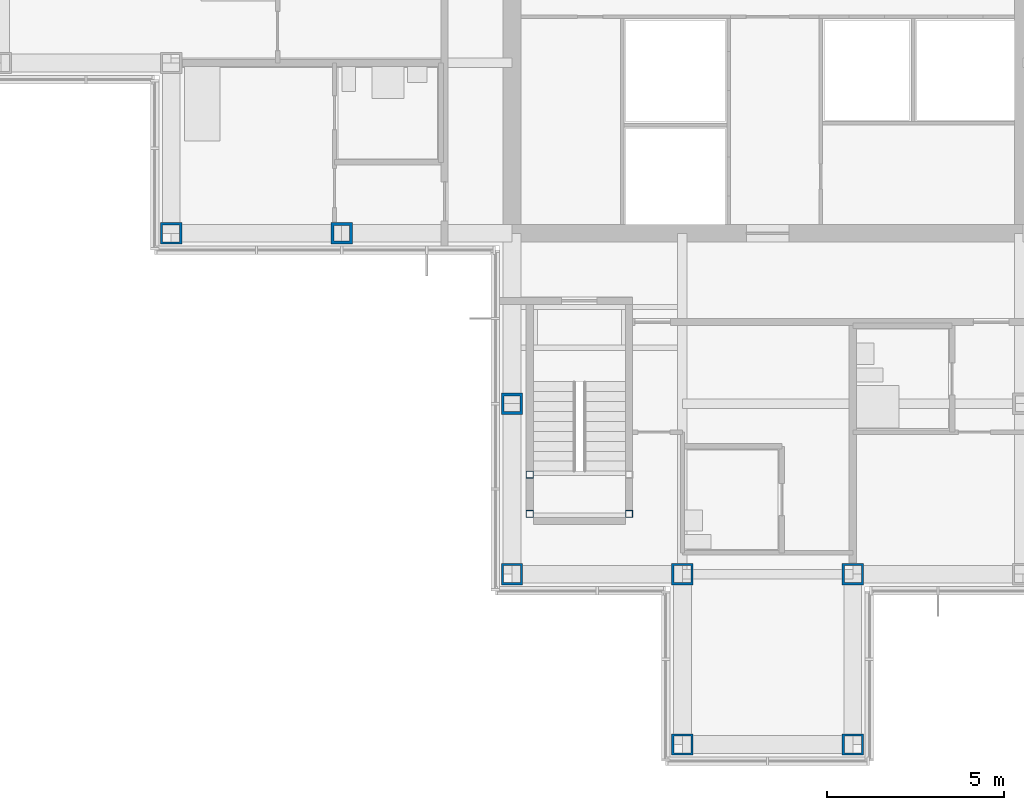
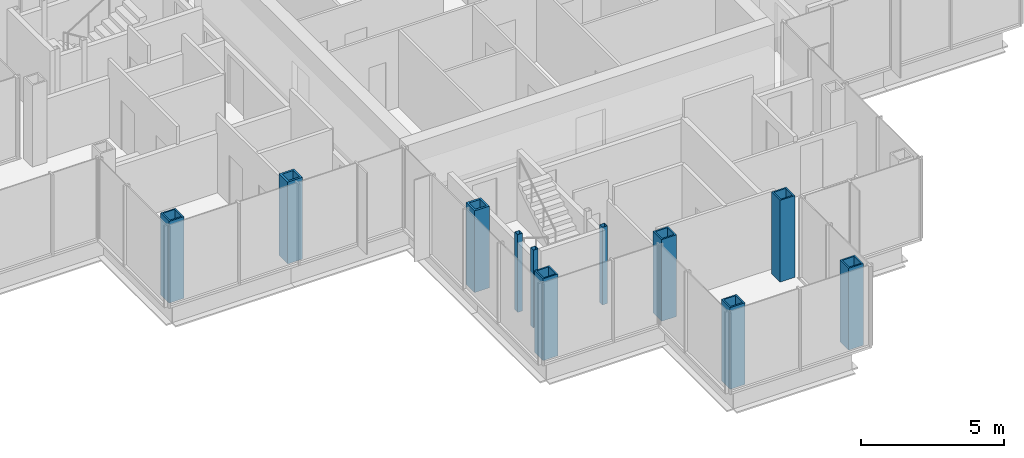
# One storey, part 1 of 17: 11 columns.
"""IFC4 building model written with IfcOpenShell, lengths in metres."""

from ifc_helpers import new_model, si_unit, direction, frame, origin, origin_2d, place, context, subcontext, project, spatial, hollow_rectangle, extrude, material, material_profile, profile_set, type_object, element, save


model = new_model("IFC4")

# Units and contexts
model_context = context("Model", 3, precision=1e-05, world=origin(), true_north=direction((0.0, 1.0)))
body_context = subcontext(model_context, "Body", "Model", "MODEL_VIEW")
ifc_project = project(units=[si_unit("LENGTHUNIT", "METRE"), si_unit("AREAUNIT", "SQUARE_METRE"), si_unit("VOLUMEUNIT", "CUBIC_METRE"), si_unit("PLANEANGLEUNIT", "RADIAN"), si_unit("MASSUNIT", "GRAM", prefix="KILO")], contexts=[model_context])

# Site, building, storey
site_placement = place(None, origin())
site = spatial("IfcSite", under=ifc_project, at=site_placement, CompositionType="ELEMENT")
building_placement = place(site_placement, origin())
building = spatial("IfcBuilding", under=site, at=building_placement, Name="Kvirike Care Tower", CompositionType="ELEMENT")
storey_placement = place(building_placement, frame((0.0, 0.0, 169.0)))
storey = spatial("IfcBuildingStorey", under=building, at=storey_placement, Name="L46", CompositionType="ELEMENT", Elevation=169.0)

# Columns
ifc_material_1 = material(Name="Steel S460", Category="steel")
ifc_material_profile_1 = material_profile(ifc_material_1, hollow_rectangle(XDim=0.60009765625, YDim=0.60009765625, WallThickness=0.06005859375, at=origin_2d()), Name="BX 600x600x60")
ifc_profile_set_1 = profile_set([ifc_material_profile_1], Name="Steel S460")
column_type_1 = type_object("IfcColumnType", Name="COLUMN BX 600x600x60", PredefinedType="COLUMN", material=ifc_profile_set_1)
for number, where, z_axis, x_axis, name in (
    (1, (4.800048828125, 28.800048828125, 0.0), (0.0, 0.0, 1.0), (0.0, 1.0, 0.0), "Column G4 L46"),
    (2, (14.39990234375, 19.199951171875, 0.0), (0.0, 0.0, 1.0), (0.0, 1.0, 0.0), "Column E6 L46"),
    (3, (19.199951171875, 14.39990234375, 0.0), (0.0, 0.0, 1.0), (0.0, 1.0, 0.0), "Column D7 L46"),
    (4, (19.199951171875, 19.199951171875, 0.0), (0.0, 0.0, 1.0), (0.0, 1.0, 0.0), "Column E7 L46"),
    (5, (24.0, 14.39990234375, 0.0), (0.0, 0.0, 1.0), (0.0, 1.0, 0.0), "Column D8 L46"),
    (6, (24.0, 19.199951171875, 0.0), (0.0, 0.0, 1.0), (0.0, 1.0, 0.0), "Column E8 L46"),
):
    element("IfcColumn", number, at=place(storey_placement, frame(where, z_axis=z_axis, x_axis=x_axis)), inside=storey, type_object=column_type_1, Name=name, PredefinedType="COLUMN", context=body_context, shape_type="SweptSolid", body=[
        extrude(hollow_rectangle(XDim=0.60009765625, YDim=0.60009765625, WallThickness=0.06005859375, at=origin_2d()), origin(), (0.0, 0.0, 1.0), 3.5),
    ])
ifc_material_2 = material(Name="Steel S460", Category="steel")
ifc_material_profile_2 = material_profile(ifc_material_2, hollow_rectangle(XDim=0.60009765625, YDim=0.60009765625, WallThickness=0.080078125, at=origin_2d()), Name="BX 600x600x80")
ifc_profile_set_2 = profile_set([ifc_material_profile_2], Name="Steel S460")
column_type_2 = type_object("IfcColumnType", Name="COLUMN BX 600x600x80", PredefinedType="COLUMN", material=ifc_profile_set_2)
for number, where, z_axis, x_axis, name in (
    (7, (9.60009765625, 28.800048828125, 0.0), (0.0, 0.0, 1.0), (0.0, 1.0, 0.0), "Column G5 L46"),
    (8, (14.39990234375, 24.0, 0.0), (0.0, 0.0, 1.0), (1.0, 0.0, 0.0), "Column F6 L46"),
):
    element("IfcColumn", number, at=place(storey_placement, frame(where, z_axis=z_axis, x_axis=x_axis)), inside=storey, type_object=column_type_2, Name=name, PredefinedType="COLUMN", context=body_context, shape_type="SweptSolid", body=[
        extrude(hollow_rectangle(XDim=0.60009765625, YDim=0.60009765625, WallThickness=0.080078125, at=origin_2d()), origin(), (0.0, 0.0, 1.0), 3.5),
    ])
ifc_material_3 = material(Name="Steel S460", Category="steel")
ifc_material_profile_3 = material_profile(ifc_material_3, hollow_rectangle(XDim=0.199951171875, YDim=0.199951171875, WallThickness=0.008056640625, at=origin_2d()), Name="SHS 200x200x8")
ifc_profile_set_3 = profile_set([ifc_material_profile_3], Name="Steel S460")
column_type_3 = type_object("IfcColumnType", Name="STAIR POST SHS 200x200x8", PredefinedType="COLUMN", material=ifc_profile_set_3)
for number, where, z_axis, x_axis, name in (
    (9, (14.89990234375, 20.89990234375, 0.0), (0.0, 0.0, 1.0), (1.0, 0.0, 0.0), "Stair 5 post 1 L46"),
    (10, (17.699951171875, 20.89990234375, 0.0), (0.0, 0.0, 1.0), (1.0, 0.0, 0.0), "Stair 5 post 2 L46"),
    (11, (14.89990234375, 22.0, 0.0), (0.0, 0.0, 1.0), (1.0, 0.0, 0.0), "Stair 5 post 3 L46"),
):
    element("IfcColumn", number, at=place(storey_placement, frame(where, z_axis=z_axis, x_axis=x_axis)), inside=storey, type_object=column_type_3, Name=name, PredefinedType="COLUMN", context=body_context, shape_type="SweptSolid", body=[
        extrude(hollow_rectangle(XDim=0.199951171875, YDim=0.199951171875, WallThickness=0.008056640625, at=origin_2d()), origin(), (0.0, 0.0, 1.0), 3.330078125),
    ])

save(model, "model.ifc")
